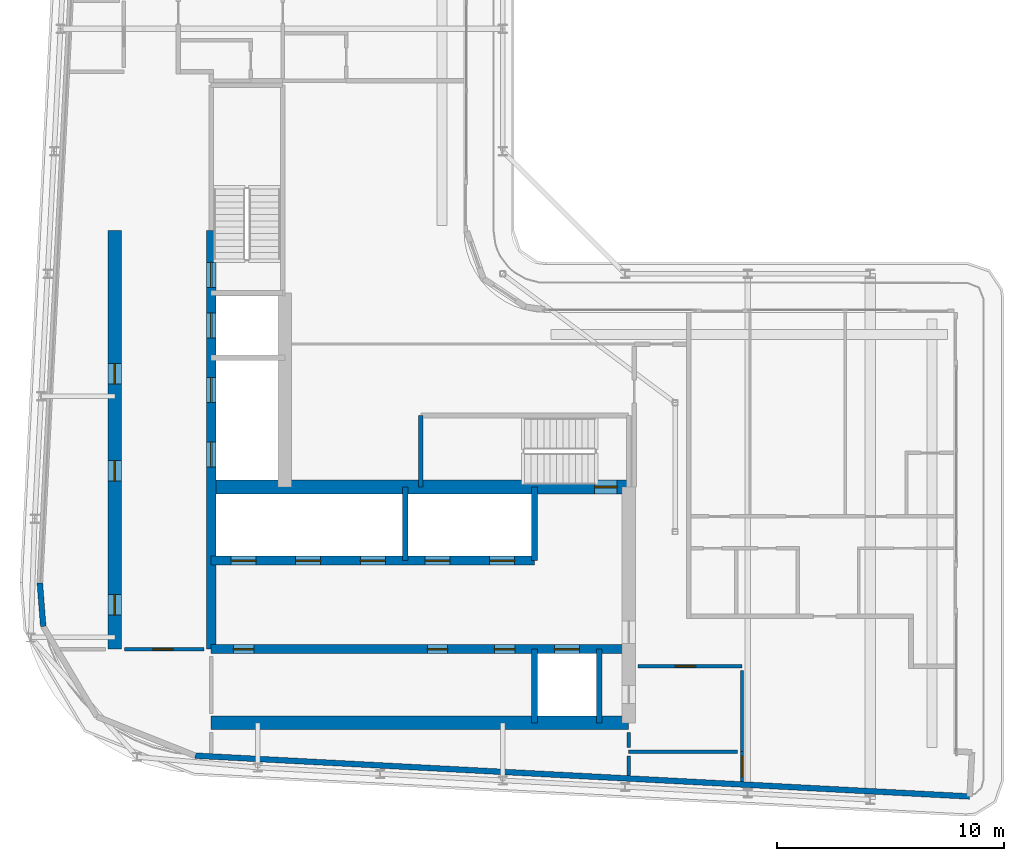
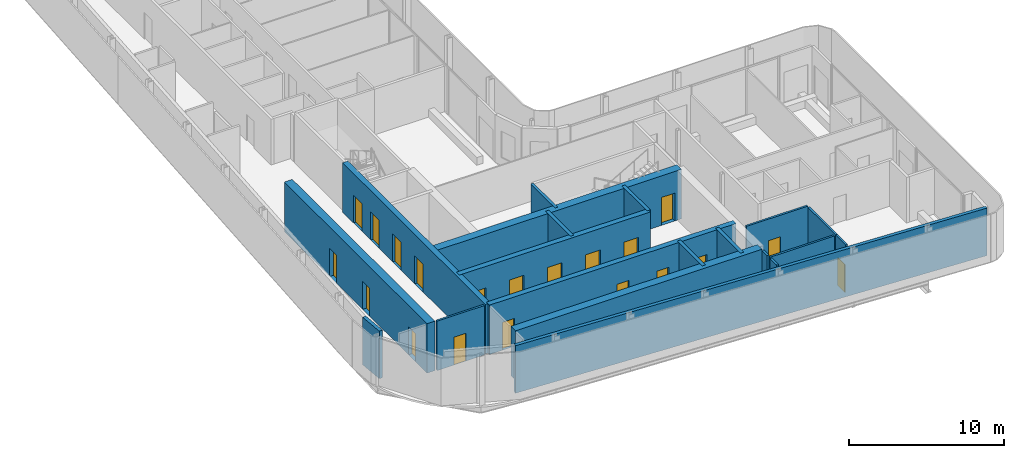
# One storey, part 11 of 21: 20 doors, 20 walls, 20 openings.
"""IFC4 building model written with IfcOpenShell, lengths in metres."""

from ifc_helpers import new_model, si_unit, direction, frame, frame_2d, origin, place, context, subcontext, project, spatial, rectangle, extrude, source, transform, mapped, material, layer, layer_set, type_object, element, fill, save


model = new_model("IFC4")

# Units and contexts
model_context = context("Model", 3, precision=1e-05, world=origin(), true_north=direction((0.0, 1.0)))
body_context = subcontext(model_context, "Body", "Model", "MODEL_VIEW")
ifc_project = project(units=[si_unit("LENGTHUNIT", "METRE"), si_unit("AREAUNIT", "SQUARE_METRE"), si_unit("VOLUMEUNIT", "CUBIC_METRE"), si_unit("PLANEANGLEUNIT", "RADIAN"), si_unit("MASSUNIT", "GRAM", prefix="KILO")], contexts=[model_context])

# Site, building, storey
site_placement = place(None, origin())
site = spatial("IfcSite", under=ifc_project, at=site_placement, CompositionType="ELEMENT")
building_placement = place(site_placement, origin())
building = spatial("IfcBuilding", under=site, at=building_placement, Name="Kheshtan School and Residences Tower", CompositionType="ELEMENT")
storey_placement = place(building_placement, frame((0.0, 0.0, 309.800048828125)))
storey = spatial("IfcBuildingStorey", under=building, at=storey_placement, Name="L73", CompositionType="ELEMENT", Elevation=309.800048828125)

# Wall, openings, doors
ifc_material_1 = material(Name="Concrete C50/60", Category="concrete")
ifc_layer_1 = layer(ifc_material_1, 0.39990234375)
ifc_layer_set_1 = layer_set([ifc_layer_1], Name="Core wall 400 Concrete C50/60")
wall_type_1 = type_object("IfcWallType", Name="Core wall 400 Concrete C50/60", PredefinedType="SHEAR", material=ifc_layer_set_1)
wall_1_placement = place(storey_placement, frame((34.75, 29.050048828125, 0.0), z_axis=(0.0, 0.0, 1.0), x_axis=(1.0, 0.0, 0.0)))
wall_1 = element("IfcWall", 1, at=wall_1_placement, inside=storey, type_object=wall_type_1, Name="Core wall CW-HALL-S1", PredefinedType="SHEAR", context=body_context, shape_type="SweptSolid", body=[
    extrude(rectangle(XDim=18.39990234375, YDim=0.39990234375, at=frame_2d((9.199951171875, 0.0))), origin(), (0.0, 0.0, 1.0), 3.89990234375),
])
opening_1_placement = place(wall_1_placement, frame((15.125, 0.0, 0.0)))
opening_1 = element("IfcOpeningElement", 2, at=opening_1_placement, cuts=wall_1, Name="Opening LD", PredefinedType="OPENING", context=body_context, shape_type="SweptSolid", body=[
    extrude(rectangle(XDim=1.10009765625, YDim=2.199951171875, at=frame_2d((0.550048828125, 1.10009765625))), frame((0.0, 0.2099609375, 0.0), z_axis=(0.0, -1.0, 0.0), x_axis=(1.0, 0.0, 0.0)), (0.0, 0.0, 1.0), 0.419921875),
])
opening_2_placement = place(wall_1_placement, frame((0.97509765625, 0.0, 0.0)))
opening_2 = element("IfcOpeningElement", 3, at=opening_2_placement, cuts=wall_1, Name="Opening SR90", PredefinedType="OPENING", context=body_context, shape_type="SweptSolid", body=[
    extrude(rectangle(XDim=0.89990234375, YDim=2.199951171875, at=frame_2d((0.449951171875, 1.10009765625))), frame((0.0, 0.2099609375, 0.0), z_axis=(0.0, -1.0, 0.0), x_axis=(1.0, 0.0, 0.0)), (0.0, 0.0, 1.0), 0.419921875),
])
opening_3_placement = place(wall_1_placement, frame((9.52490234375, 0.0, 0.0)))
opening_3 = element("IfcOpeningElement", 4, at=opening_3_placement, cuts=wall_1, Name="Opening SR90", PredefinedType="OPENING", context=body_context, shape_type="SweptSolid", body=[
    extrude(rectangle(XDim=0.89990234375, YDim=2.199951171875, at=frame_2d((0.449951171875, 1.10009765625))), frame((0.0, 0.2099609375, 0.0), z_axis=(0.0, -1.0, 0.0), x_axis=(1.0, 0.0, 0.0)), (0.0, 0.0, 1.0), 0.419921875),
])
opening_4_placement = place(wall_1_placement, frame((12.488037109375, 0.0, 0.0)))
opening_4 = element("IfcOpeningElement", 5, at=opening_4_placement, cuts=wall_1, Name="Opening SR90", PredefinedType="OPENING", context=body_context, shape_type="SweptSolid", body=[
    extrude(rectangle(XDim=0.89990234375, YDim=2.199951171875, at=frame_2d((0.449951171875, 1.10009765625))), frame((0.0, 0.2099609375, 0.0), z_axis=(0.0, -1.0, 0.0), x_axis=(1.0, 0.0, 0.0)), (0.0, 0.0, 1.0), 0.419921875),
])
ifc_material_2 = material(Name="Stainless steel door leaves", Category="steel")
door_type_1 = type_object("IfcDoorType", Name="Lift landing door 1100", OperationType="SLIDING_TO_LEFT", PredefinedType="DOOR", material=ifc_material_2)
shared_shape_1 = source(origin(), body_context, "Body", "SweptSolid", [
    extrude(rectangle(XDim=1.10009765625, YDim=2.199951171875, at=frame_2d((0.550048828125, 1.10009765625))), frame((0.0, 0.02490234375, 0.0), z_axis=(0.0, -1.0, 0.0), x_axis=(1.0, 0.0, 0.0)), (0.0, 0.0, 1.0), 0.050048828125),
])
door_1_placement = place(opening_1_placement, origin())
door_1 = element("IfcDoor", 6, at=door_1_placement, inside=storey, type_object=door_type_1, Name="Lift FFL2 landing door", OperationType="SLIDING_TO_LEFT", OverallHeight=2.199951171875, OverallWidth=1.10009765625, PredefinedType="DOOR", context=body_context, shape_type="MappedRepresentation", body=[
    mapped(shared_shape_1, transform((0.0, 0.0, 0.0), x_axis=(1.0, 0.0, 0.0), y_axis=(0.0, 1.0, 0.0), z_axis=(0.0, 0.0, 1.0), scale=1.0)),
])
fill(opening_1, door_1)
ifc_material_3 = material(Name="Steel door leaf, galvanised", Category="steel")
door_type_2 = type_object("IfcDoorType", Name="Service room door 900 steel 90 min", OperationType="SINGLE_SWING_LEFT", PredefinedType="DOOR", material=ifc_material_3)
shared_shape_2 = source(origin(), body_context, "Body", "SweptSolid", [
    extrude(rectangle(XDim=0.89990234375, YDim=2.199951171875, at=frame_2d((0.449951171875, 1.10009765625))), frame((0.0, 0.02490234375, 0.0), z_axis=(0.0, -1.0, 0.0), x_axis=(1.0, 0.0, 0.0)), (0.0, 0.0, 1.0), 0.050048828125),
])
door_2_placement = place(opening_2_placement, origin())
door_2 = element("IfcDoor", 7, at=door_2_placement, inside=storey, type_object=door_type_2, Name="Service room door", OperationType="SINGLE_SWING_LEFT", OverallHeight=2.199951171875, OverallWidth=0.89990234375, PredefinedType="DOOR", context=body_context, shape_type="MappedRepresentation", body=[
    mapped(shared_shape_2, transform((0.0, 0.0, 0.0), x_axis=(1.0, 0.0, 0.0), y_axis=(0.0, 1.0, 0.0), z_axis=(0.0, 0.0, 1.0), scale=1.0)),
])
fill(opening_2, door_2)
door_3_placement = place(opening_3_placement, origin())
door_3 = element("IfcDoor", 8, at=door_3_placement, inside=storey, type_object=door_type_2, Name="Service room door", OperationType="SINGLE_SWING_RIGHT", OverallHeight=2.199951171875, OverallWidth=0.89990234375, PredefinedType="DOOR", context=body_context, shape_type="MappedRepresentation", body=[
    mapped(shared_shape_2, transform((0.0, 0.0, 0.0), x_axis=(1.0, 0.0, 0.0), y_axis=(0.0, 1.0, 0.0), z_axis=(0.0, 0.0, 1.0), scale=1.0)),
])
fill(opening_3, door_3)
door_4_placement = place(opening_4_placement, origin())
door_4 = element("IfcDoor", 9, at=door_4_placement, inside=storey, type_object=door_type_2, Name="Service room door", OperationType="SINGLE_SWING_LEFT", OverallHeight=2.199951171875, OverallWidth=0.89990234375, PredefinedType="DOOR", context=body_context, shape_type="MappedRepresentation", body=[
    mapped(shared_shape_2, transform((0.0, 0.0, 0.0), x_axis=(1.0, 0.0, 0.0), y_axis=(0.0, 1.0, 0.0), z_axis=(0.0, 0.0, 1.0), scale=1.0)),
])
fill(opening_4, door_4)

wall_2_placement = place(storey_placement, frame((34.75, 32.949951171875, 0.0), z_axis=(0.0, 0.0, 1.0), x_axis=(1.0, 0.0, 0.0)))
wall_2 = element("IfcWall", 10, at=wall_2_placement, inside=storey, type_object=wall_type_1, Name="Core wall CW-HALL-S2", PredefinedType="SHEAR", context=body_context, shape_type="SweptSolid", body=[
    extrude(rectangle(XDim=14.25, YDim=0.39990234375, at=frame_2d((7.125, 0.0))), origin(), (0.0, 0.0, 1.0), 3.89990234375),
])
opening_5_placement = place(wall_2_placement, frame((0.875, 0.0, 0.0)))
opening_5 = element("IfcOpeningElement", 11, at=opening_5_placement, cuts=wall_2, Name="Opening LD", PredefinedType="OPENING", context=body_context, shape_type="SweptSolid", body=[
    extrude(rectangle(XDim=1.10009765625, YDim=2.199951171875, at=frame_2d((0.550048828125, 1.10009765625))), frame((0.0, 0.2099609375, 0.0), z_axis=(0.0, -1.0, 0.0), x_axis=(1.0, 0.0, 0.0)), (0.0, 0.0, 1.0), 0.419921875),
])
opening_6_placement = place(wall_2_placement, frame((3.72509765625, 0.0, 0.0)))
opening_6 = element("IfcOpeningElement", 12, at=opening_6_placement, cuts=wall_2, Name="Opening LD", PredefinedType="OPENING", context=body_context, shape_type="SweptSolid", body=[
    extrude(rectangle(XDim=1.10009765625, YDim=2.199951171875, at=frame_2d((0.550048828125, 1.10009765625))), frame((0.0, 0.2099609375, 0.0), z_axis=(0.0, -1.0, 0.0), x_axis=(1.0, 0.0, 0.0)), (0.0, 0.0, 1.0), 0.419921875),
])
opening_7_placement = place(wall_2_placement, frame((6.574951171875, 0.0, 0.0)))
opening_7 = element("IfcOpeningElement", 13, at=opening_7_placement, cuts=wall_2, Name="Opening LD", PredefinedType="OPENING", context=body_context, shape_type="SweptSolid", body=[
    extrude(rectangle(XDim=1.10009765625, YDim=2.199951171875, at=frame_2d((0.550048828125, 1.10009765625))), frame((0.0, 0.2099609375, 0.0), z_axis=(0.0, -1.0, 0.0), x_axis=(1.0, 0.0, 0.0)), (0.0, 0.0, 1.0), 0.419921875),
])
opening_8_placement = place(wall_2_placement, frame((9.425048828125, 0.0, 0.0)))
opening_8 = element("IfcOpeningElement", 14, at=opening_8_placement, cuts=wall_2, Name="Opening LD", PredefinedType="OPENING", context=body_context, shape_type="SweptSolid", body=[
    extrude(rectangle(XDim=1.10009765625, YDim=2.199951171875, at=frame_2d((0.550048828125, 1.10009765625))), frame((0.0, 0.2099609375, 0.0), z_axis=(0.0, -1.0, 0.0), x_axis=(1.0, 0.0, 0.0)), (0.0, 0.0, 1.0), 0.419921875),
])
opening_9_placement = place(wall_2_placement, frame((12.27490234375, 0.0, 0.0)))
opening_9 = element("IfcOpeningElement", 15, at=opening_9_placement, cuts=wall_2, Name="Opening LD", PredefinedType="OPENING", context=body_context, shape_type="SweptSolid", body=[
    extrude(rectangle(XDim=1.10009765625, YDim=2.199951171875, at=frame_2d((0.550048828125, 1.10009765625))), frame((0.0, 0.2099609375, 0.0), z_axis=(0.0, -1.0, 0.0), x_axis=(1.0, 0.0, 0.0)), (0.0, 0.0, 1.0), 0.419921875),
])
door_5_placement = place(opening_5_placement, origin())
door_5 = element("IfcDoor", 16, at=door_5_placement, inside=storey, type_object=door_type_1, Name="Lift P12 landing door", OperationType="SLIDING_TO_LEFT", OverallHeight=2.199951171875, OverallWidth=1.10009765625, PredefinedType="DOOR", context=body_context, shape_type="MappedRepresentation", body=[
    mapped(shared_shape_1, transform((0.0, 0.0, 0.0), x_axis=(1.0, 0.0, 0.0), y_axis=(0.0, 1.0, 0.0), z_axis=(0.0, 0.0, 1.0), scale=1.0)),
])
fill(opening_5, door_5)
door_6_placement = place(opening_6_placement, origin())
door_6 = element("IfcDoor", 17, at=door_6_placement, inside=storey, type_object=door_type_1, Name="Lift P13 landing door", OperationType="SLIDING_TO_LEFT", OverallHeight=2.199951171875, OverallWidth=1.10009765625, PredefinedType="DOOR", context=body_context, shape_type="MappedRepresentation", body=[
    mapped(shared_shape_1, transform((0.0, 0.0, 0.0), x_axis=(1.0, 0.0, 0.0), y_axis=(0.0, 1.0, 0.0), z_axis=(0.0, 0.0, 1.0), scale=1.0)),
])
fill(opening_6, door_6)
door_7_placement = place(opening_7_placement, origin())
door_7 = element("IfcDoor", 18, at=door_7_placement, inside=storey, type_object=door_type_1, Name="Lift P14 landing door", OperationType="SLIDING_TO_LEFT", OverallHeight=2.199951171875, OverallWidth=1.10009765625, PredefinedType="DOOR", context=body_context, shape_type="MappedRepresentation", body=[
    mapped(shared_shape_1, transform((0.0, 0.0, 0.0), x_axis=(1.0, 0.0, 0.0), y_axis=(0.0, 1.0, 0.0), z_axis=(0.0, 0.0, 1.0), scale=1.0)),
])
fill(opening_7, door_7)
door_8_placement = place(opening_8_placement, origin())
door_8 = element("IfcDoor", 19, at=door_8_placement, inside=storey, type_object=door_type_1, Name="Lift P15 landing door", OperationType="SLIDING_TO_LEFT", OverallHeight=2.199951171875, OverallWidth=1.10009765625, PredefinedType="DOOR", context=body_context, shape_type="MappedRepresentation", body=[
    mapped(shared_shape_1, transform((0.0, 0.0, 0.0), x_axis=(1.0, 0.0, 0.0), y_axis=(0.0, 1.0, 0.0), z_axis=(0.0, 0.0, 1.0), scale=1.0)),
])
fill(opening_8, door_8)
door_9_placement = place(opening_9_placement, origin())
door_9 = element("IfcDoor", 20, at=door_9_placement, inside=storey, type_object=door_type_1, Name="Lift P16 landing door", OperationType="SLIDING_TO_LEFT", OverallHeight=2.199951171875, OverallWidth=1.10009765625, PredefinedType="DOOR", context=body_context, shape_type="MappedRepresentation", body=[
    mapped(shared_shape_1, transform((0.0, 0.0, 0.0), x_axis=(1.0, 0.0, 0.0), y_axis=(0.0, 1.0, 0.0), z_axis=(0.0, 0.0, 1.0), scale=1.0)),
])
fill(opening_9, door_9)

wall_3_placement = place(storey_placement, frame((34.75, 29.050048828125, 0.0), z_axis=(0.0, 0.0, 1.0), x_axis=(0.0, 1.0, 0.0)))
wall_3 = element("IfcWall", 21, at=wall_3_placement, inside=storey, type_object=wall_type_1, Name="Core wall CW-HALL-W1", PredefinedType="SHEAR", context=body_context, shape_type="SweptSolid", body=[
    extrude(rectangle(XDim=18.449951171875, YDim=0.39990234375, at=frame_2d((9.22509765625, 0.0))), origin(), (0.0, 0.0, 1.0), 3.89990234375),
])
opening_10_placement = place(wall_3_placement, frame((8.02490234375, 0.0, 0.0)))
opening_10 = element("IfcOpeningElement", 22, at=opening_10_placement, cuts=wall_3, Name="Opening LD", PredefinedType="OPENING", context=body_context, shape_type="SweptSolid", body=[
    extrude(rectangle(XDim=1.10009765625, YDim=2.199951171875, at=frame_2d((0.550048828125, 1.10009765625))), frame((0.0, 0.2099609375, 0.0), z_axis=(0.0, -1.0, 0.0), x_axis=(1.0, 0.0, 0.0)), (0.0, 0.0, 1.0), 0.419921875),
])
opening_11_placement = place(wall_3_placement, frame((10.875, 0.0, 0.0)))
opening_11 = element("IfcOpeningElement", 23, at=opening_11_placement, cuts=wall_3, Name="Opening LD", PredefinedType="OPENING", context=body_context, shape_type="SweptSolid", body=[
    extrude(rectangle(XDim=1.10009765625, YDim=2.199951171875, at=frame_2d((0.550048828125, 1.10009765625))), frame((0.0, 0.2099609375, 0.0), z_axis=(0.0, -1.0, 0.0), x_axis=(1.0, 0.0, 0.0)), (0.0, 0.0, 1.0), 0.419921875),
])
opening_12_placement = place(wall_3_placement, frame((13.72509765625, 0.0, 0.0)))
opening_12 = element("IfcOpeningElement", 24, at=opening_12_placement, cuts=wall_3, Name="Opening LD", PredefinedType="OPENING", context=body_context, shape_type="SweptSolid", body=[
    extrude(rectangle(XDim=1.10009765625, YDim=2.199951171875, at=frame_2d((0.550048828125, 1.10009765625))), frame((0.0, 0.2099609375, 0.0), z_axis=(0.0, -1.0, 0.0), x_axis=(1.0, 0.0, 0.0)), (0.0, 0.0, 1.0), 0.419921875),
])
opening_13_placement = place(wall_3_placement, frame((15.949951171875, 0.0, 0.0)))
opening_13 = element("IfcOpeningElement", 25, at=opening_13_placement, cuts=wall_3, Name="Opening ST2D", PredefinedType="OPENING", context=body_context, shape_type="SweptSolid", body=[
    extrude(rectangle(XDim=1.10009765625, YDim=2.199951171875, at=frame_2d((0.550048828125, 1.10009765625))), frame((0.0, 0.2099609375, 0.0), z_axis=(0.0, -1.0, 0.0), x_axis=(1.0, 0.0, 0.0)), (0.0, 0.0, 1.0), 0.419921875),
])
door_10_placement = place(opening_10_placement, origin())
door_10 = element("IfcDoor", 26, at=door_10_placement, inside=storey, type_object=door_type_1, Name="Lift SV1 landing door", OperationType="SLIDING_TO_LEFT", OverallHeight=2.199951171875, OverallWidth=1.10009765625, PredefinedType="DOOR", context=body_context, shape_type="MappedRepresentation", body=[
    mapped(shared_shape_1, transform((0.0, 0.0, 0.0), x_axis=(1.0, 0.0, 0.0), y_axis=(0.0, 1.0, 0.0), z_axis=(0.0, 0.0, 1.0), scale=1.0)),
])
fill(opening_10, door_10)
door_11_placement = place(opening_11_placement, origin())
door_11 = element("IfcDoor", 27, at=door_11_placement, inside=storey, type_object=door_type_1, Name="Lift SV2 landing door", OperationType="SLIDING_TO_LEFT", OverallHeight=2.199951171875, OverallWidth=1.10009765625, PredefinedType="DOOR", context=body_context, shape_type="MappedRepresentation", body=[
    mapped(shared_shape_1, transform((0.0, 0.0, 0.0), x_axis=(1.0, 0.0, 0.0), y_axis=(0.0, 1.0, 0.0), z_axis=(0.0, 0.0, 1.0), scale=1.0)),
])
fill(opening_11, door_11)
door_12_placement = place(opening_12_placement, origin())
door_12 = element("IfcDoor", 28, at=door_12_placement, inside=storey, type_object=door_type_1, Name="Lift FFL1 landing door", OperationType="SLIDING_TO_LEFT", OverallHeight=2.199951171875, OverallWidth=1.10009765625, PredefinedType="DOOR", context=body_context, shape_type="MappedRepresentation", body=[
    mapped(shared_shape_1, transform((0.0, 0.0, 0.0), x_axis=(1.0, 0.0, 0.0), y_axis=(0.0, 1.0, 0.0), z_axis=(0.0, 0.0, 1.0), scale=1.0)),
])
fill(opening_12, door_12)
door_type_3 = type_object("IfcDoorType", Name="Stair door 1100 steel 90 min", OperationType="SINGLE_SWING_LEFT", PredefinedType="DOOR", material=ifc_material_3)
shared_shape_3 = source(origin(), body_context, "Body", "SweptSolid", [
    extrude(rectangle(XDim=1.10009765625, YDim=2.199951171875, at=frame_2d((0.550048828125, 1.10009765625))), frame((0.0, 0.02490234375, 0.0), z_axis=(0.0, -1.0, 0.0), x_axis=(1.0, 0.0, 0.0)), (0.0, 0.0, 1.0), 0.050048828125),
])
door_13_placement = place(opening_13_placement, origin())
door_13 = element("IfcDoor", 29, at=door_13_placement, inside=storey, type_object=door_type_3, Name="Stair ST2 door", OperationType="SINGLE_SWING_RIGHT", OverallHeight=2.199951171875, OverallWidth=1.10009765625, PredefinedType="DOOR", context=body_context, shape_type="MappedRepresentation", body=[
    mapped(shared_shape_3, transform((0.0, 0.0, 0.0), x_axis=(1.0, 0.0, 0.0), y_axis=(0.0, 1.0, 0.0), z_axis=(0.0, 0.0, 1.0), scale=1.0)),
])
fill(opening_13, door_13)

# Wall
ifc_material_4 = material(Name="Concrete C60/75", Category="concrete")
ifc_layer_2 = layer(ifc_material_4, 0.60009765625)
ifc_layer_set_2 = layer_set([ifc_layer_2], Name="Core wall 600 Concrete C60/75")
wall_type_2 = type_object("IfcWallType", Name="Core wall 600 Concrete C60/75", PredefinedType="SHEAR", material=ifc_layer_set_2)
wall_4_placement = place(storey_placement, frame((34.75, 25.800048828125, 0.0), z_axis=(0.0, 0.0, 1.0), x_axis=(1.0, 0.0, 0.0)))
element("IfcWall", 30, at=wall_4_placement, inside=storey, type_object=wall_type_2, Name="Core wall CW-REAR-S", PredefinedType="SHEAR", context=body_context, shape_type="SweptSolid", body=[
    extrude(rectangle(XDim=18.39990234375, YDim=0.60009765625, at=frame_2d((9.199951171875, 0.0))), origin(), (0.0, 0.0, 1.0), 3.89990234375),
])

# Wall, opening, door
wall_5_placement = place(storey_placement, frame((34.75, 36.199951171875, 0.0), z_axis=(0.0, 0.0, 1.0), x_axis=(1.0, 0.0, 0.0)))
wall_5 = element("IfcWall", 31, at=wall_5_placement, inside=storey, type_object=wall_type_2, Name="Core wall CW-FRONT-S", PredefinedType="SHEAR", context=body_context, shape_type="SweptSolid", body=[
    extrude(rectangle(XDim=18.39990234375, YDim=0.60009765625, at=frame_2d((9.199951171875, 0.0))), origin(), (0.0, 0.0, 1.0), 3.89990234375),
])
opening_14_placement = place(wall_5_placement, frame((16.89990234375, 0.0, 0.0)))
opening_14 = element("IfcOpeningElement", 32, at=opening_14_placement, cuts=wall_5, Name="Opening ST1D", PredefinedType="OPENING", context=body_context, shape_type="SweptSolid", body=[
    extrude(rectangle(XDim=1.0, YDim=2.199951171875, at=frame_2d((0.5, 1.10009765625))), frame((0.0, 0.31005859375, 0.0), z_axis=(0.0, -1.0, 0.0), x_axis=(1.0, 0.0, 0.0)), (0.0, 0.0, 1.0), 0.6201171875),
])
shared_shape_4 = source(origin(), body_context, "Body", "SweptSolid", [
    extrude(rectangle(XDim=1.0, YDim=2.199951171875, at=frame_2d((0.5, 1.10009765625))), frame((0.0, 0.02490234375, 0.0), z_axis=(0.0, -1.0, 0.0), x_axis=(1.0, 0.0, 0.0)), (0.0, 0.0, 1.0), 0.050048828125),
])
door_14_placement = place(opening_14_placement, origin())
door_14 = element("IfcDoor", 33, at=door_14_placement, inside=storey, type_object=door_type_3, Name="Stair ST1 door", OperationType="SINGLE_SWING_RIGHT", OverallHeight=2.199951171875, OverallWidth=1.0, PredefinedType="DOOR", context=body_context, shape_type="MappedRepresentation", body=[
    mapped(shared_shape_4, transform((0.0, 0.0, 0.0), x_axis=(1.0, 0.0, 0.0), y_axis=(0.0, 1.0, 0.0), z_axis=(0.0, 0.0, 1.0), scale=1.0)),
])
fill(opening_14, door_14)

# Wall, openings, doors
wall_6_placement = place(storey_placement, frame((30.5, 29.050048828125, 0.0), z_axis=(0.0, 0.0, 1.0), x_axis=(0.0, 1.0, 0.0)))
wall_6 = element("IfcWall", 34, at=wall_6_placement, inside=storey, type_object=wall_type_2, Name="Core wall CW-REAR-W", PredefinedType="SHEAR", context=body_context, shape_type="SweptSolid", body=[
    extrude(rectangle(XDim=18.449951171875, YDim=0.60009765625, at=frame_2d((9.22509765625, 0.0))), origin(), (0.0, 0.0, 1.0), 3.89990234375),
])
opening_15_placement = place(wall_6_placement, frame((1.5, 0.0, 0.0)))
opening_15 = element("IfcOpeningElement", 35, at=opening_15_placement, cuts=wall_6, Name="Opening SR90", PredefinedType="OPENING", context=body_context, shape_type="SweptSolid", body=[
    extrude(rectangle(XDim=0.89990234375, YDim=2.199951171875, at=frame_2d((0.449951171875, 1.10009765625))), frame((0.0, 0.31005859375, 0.0), z_axis=(0.0, -1.0, 0.0), x_axis=(1.0, 0.0, 0.0)), (0.0, 0.0, 1.0), 0.6201171875),
])
opening_16_placement = place(wall_6_placement, frame((7.406005859375, 0.0, 0.0)))
opening_16 = element("IfcOpeningElement", 36, at=opening_16_placement, cuts=wall_6, Name="Opening SR90", PredefinedType="OPENING", context=body_context, shape_type="SweptSolid", body=[
    extrude(rectangle(XDim=0.89990234375, YDim=2.199951171875, at=frame_2d((0.449951171875, 1.10009765625))), frame((0.0, 0.31005859375, 0.0), z_axis=(0.0, -1.0, 0.0), x_axis=(1.0, 0.0, 0.0)), (0.0, 0.0, 1.0), 0.6201171875),
])
opening_17_placement = place(wall_6_placement, frame((11.68798828125, 0.0, 0.0)))
opening_17 = element("IfcOpeningElement", 37, at=opening_17_placement, cuts=wall_6, Name="Opening SR90", PredefinedType="OPENING", context=body_context, shape_type="SweptSolid", body=[
    extrude(rectangle(XDim=0.89990234375, YDim=2.199951171875, at=frame_2d((0.449951171875, 1.10009765625))), frame((0.0, 0.31005859375, 0.0), z_axis=(0.0, -1.0, 0.0), x_axis=(1.0, 0.0, 0.0)), (0.0, 0.0, 1.0), 0.6201171875),
])
door_15_placement = place(opening_15_placement, origin())
door_15 = element("IfcDoor", 38, at=door_15_placement, inside=storey, type_object=door_type_2, Name="Service room door", OperationType="SINGLE_SWING_LEFT", OverallHeight=2.199951171875, OverallWidth=0.89990234375, PredefinedType="DOOR", context=body_context, shape_type="MappedRepresentation", body=[
    mapped(shared_shape_2, transform((0.0, 0.0, 0.0), x_axis=(1.0, 0.0, 0.0), y_axis=(0.0, 1.0, 0.0), z_axis=(0.0, 0.0, 1.0), scale=1.0)),
])
fill(opening_15, door_15)
door_16_placement = place(opening_16_placement, origin())
door_16 = element("IfcDoor", 39, at=door_16_placement, inside=storey, type_object=door_type_2, Name="Service room door", OperationType="SINGLE_SWING_RIGHT", OverallHeight=2.199951171875, OverallWidth=0.89990234375, PredefinedType="DOOR", context=body_context, shape_type="MappedRepresentation", body=[
    mapped(shared_shape_2, transform((0.0, 0.0, 0.0), x_axis=(1.0, 0.0, 0.0), y_axis=(0.0, 1.0, 0.0), z_axis=(0.0, 0.0, 1.0), scale=1.0)),
])
fill(opening_16, door_16)
door_17_placement = place(opening_17_placement, origin())
door_17 = element("IfcDoor", 40, at=door_17_placement, inside=storey, type_object=door_type_2, Name="Service room door", OperationType="SINGLE_SWING_LEFT", OverallHeight=2.199951171875, OverallWidth=0.89990234375, PredefinedType="DOOR", context=body_context, shape_type="MappedRepresentation", body=[
    mapped(shared_shape_2, transform((0.0, 0.0, 0.0), x_axis=(1.0, 0.0, 0.0), y_axis=(0.0, 1.0, 0.0), z_axis=(0.0, 0.0, 1.0), scale=1.0)),
])
fill(opening_17, door_17)

# Walls
ifc_material_5 = material(Name="Concrete C40/50 with ceramic cladding and mineral wool insulation", Category="concrete")
ifc_layer_3 = layer(ifc_material_5, 0.25)
ifc_layer_set_3 = layer_set([ifc_layer_3], Name="External wall 250 ceramic clad")
wall_type_3 = type_object("IfcWallType", Name="External wall 250 ceramic clad", PredefinedType="SOLIDWALL", material=ifc_layer_set_3)
wall_7_placement = place(storey_placement, frame((27.343994140625, 30.054931640625, 0.0), z_axis=(0.0, 0.0, 1.0), x_axis=(-0.077571675317, 0.99698677784, 0.0)))
element("IfcWall", 41, at=wall_7_placement, inside=storey, type_object=wall_type_3, Name="External wall L73 3", PredefinedType="SOLIDWALL", context=body_context, shape_type="SweptSolid", body=[
    extrude(rectangle(XDim=1.919921875, YDim=0.25, at=frame_2d((0.9599609375, 0.0))), origin(), (0.0, 0.0, 1.0), 3.75),
])
wall_8_placement = place(storey_placement, frame((68.18603515625, 22.554931640625, 0.0), z_axis=(0.0, 0.0, 1.0), x_axis=(-0.998616468095, 0.052584690257, 0.0)))
element("IfcWall", 42, at=wall_8_placement, inside=storey, type_object=wall_type_3, Name="External wall L73 16", PredefinedType="SOLIDWALL", context=body_context, shape_type="SweptSolid", body=[
    extrude(rectangle(XDim=34.1943359375, YDim=0.25, at=frame_2d((17.09716796875, 0.0))), origin(), (0.0, 0.0, 1.0), 3.75),
])

# Wall, opening, door
ifc_material_6 = material(Name="Fire-board shaft wall system")
ifc_layer_4 = layer(ifc_material_6, 0.14990234375)
ifc_layer_set_4 = layer_set([ifc_layer_4], Name="Service room wall 150")
wall_type_4 = type_object("IfcWallType", Name="Service room wall 150", PredefinedType="PARTITIONING", material=ifc_layer_set_4)
wall_9_placement = place(storey_placement, frame((30.919921875, 29.050048828125, 0.0), z_axis=(0.0, 0.0, 1.0), x_axis=(1.0, 0.0, 0.0)))
wall_9 = element("IfcWall", 43, at=wall_9_placement, inside=storey, type_object=wall_type_4, Name="Service room wall", PredefinedType="PARTITIONING", context=body_context, shape_type="SweptSolid", body=[
    extrude(rectangle(XDim=3.510009765625, YDim=0.14990234375, at=frame_2d((1.7548828125, 0.0))), origin(), (0.0, 0.0, 1.0), 3.89990234375),
])
opening_18_placement = place(wall_9_placement, frame((1.2548828125, 0.0, 0.0)))
opening_18 = element("IfcOpeningElement", 44, at=opening_18_placement, cuts=wall_9, Name="Opening SR90", PredefinedType="OPENING", context=body_context, shape_type="SweptSolid", body=[
    extrude(rectangle(XDim=0.89990234375, YDim=2.199951171875, at=frame_2d((0.449951171875, 1.10009765625))), frame((0.0, 0.0849609375, 0.0), z_axis=(0.0, -1.0, 0.0), x_axis=(1.0, 0.0, 0.0)), (0.0, 0.0, 1.0), 0.169921875),
])
door_18_placement = place(opening_18_placement, origin())
door_18 = element("IfcDoor", 45, at=door_18_placement, inside=storey, type_object=door_type_2, Name="Service room door", OperationType="SINGLE_SWING_RIGHT", OverallHeight=2.199951171875, OverallWidth=0.89990234375, PredefinedType="DOOR", context=body_context, shape_type="MappedRepresentation", body=[
    mapped(shared_shape_2, transform((0.0, 0.0, 0.0), x_axis=(1.0, 0.0, 0.0), y_axis=(0.0, 1.0, 0.0), z_axis=(0.0, 0.0, 1.0), scale=1.0)),
])
fill(opening_18, door_18)

wall_10_placement = place(storey_placement, frame((58.14990234375, 23.2109375, 0.0), z_axis=(0.0, 0.0, 1.0), x_axis=(0.0, 1.0, 0.0)))
wall_10 = element("IfcWall", 46, at=wall_10_placement, inside=storey, type_object=wall_type_4, Name="Service room wall", PredefinedType="PARTITIONING", context=body_context, shape_type="SweptSolid", body=[
    extrude(rectangle(XDim=1.317138671875, YDim=0.14990234375, at=frame_2d((0.65869140625, 0.0))), origin(), (0.0, 0.0, 1.0), 3.89990234375),
])
opening_19_placement = place(wall_10_placement, frame((0.222900390625, 0.0, 0.0)))
opening_19 = element("IfcOpeningElement", 47, at=opening_19_placement, cuts=wall_10, Name="Opening SR90", PredefinedType="OPENING", context=body_context, shape_type="SweptSolid", body=[
    extrude(rectangle(XDim=0.89990234375, YDim=2.199951171875, at=frame_2d((0.449951171875, 1.10009765625))), frame((0.0, 0.0849609375, 0.0), z_axis=(0.0, -1.0, 0.0), x_axis=(1.0, 0.0, 0.0)), (0.0, 0.0, 1.0), 0.169921875),
])
door_19_placement = place(opening_19_placement, origin())
door_19 = element("IfcDoor", 48, at=door_19_placement, inside=storey, type_object=door_type_2, Name="Service room door", OperationType="SINGLE_SWING_LEFT", OverallHeight=2.199951171875, OverallWidth=0.89990234375, PredefinedType="DOOR", context=body_context, shape_type="MappedRepresentation", body=[
    mapped(shared_shape_2, transform((0.0, 0.0, 0.0), x_axis=(1.0, 0.0, 0.0), y_axis=(0.0, 1.0, 0.0), z_axis=(0.0, 0.0, 1.0), scale=1.0)),
])
fill(opening_19, door_19)

# Walls
wall_11_placement = place(storey_placement, frame((53.14990234375, 24.528076171875, 0.0), z_axis=(0.0, 0.0, 1.0), x_axis=(1.0, 0.0, 0.0)))
element("IfcWall", 49, at=wall_11_placement, inside=storey, type_object=wall_type_4, Name="Service room wall", PredefinedType="PARTITIONING", context=body_context, shape_type="SweptSolid", body=[
    extrude(rectangle(XDim=4.80517578125, YDim=0.14990234375, at=frame_2d((2.402587890625, 0.0))), origin(), (0.0, 0.0, 1.0), 3.89990234375),
])
wall_12_placement = place(storey_placement, frame((53.14990234375, 23.47509765625, 0.0), z_axis=(0.0, 0.0, 1.0), x_axis=(0.0, 1.0, 0.0)))
element("IfcWall", 50, at=wall_12_placement, inside=storey, type_object=wall_type_4, Name="Service room wall", PredefinedType="PARTITIONING", context=body_context, shape_type="SweptSolid", body=[
    extrude(rectangle(XDim=0.85791015625, YDim=0.14990234375, at=frame_2d((0.428955078125, 0.0))), origin(), (0.0, 0.0, 1.0), 3.89990234375),
])

# Wall, opening, door
wall_13_placement = place(storey_placement, frame((53.570068359375, 28.300048828125, 0.0), z_axis=(0.0, 0.0, 1.0), x_axis=(1.0, 0.0, 0.0)))
wall_13 = element("IfcWall", 51, at=wall_13_placement, inside=storey, type_object=wall_type_4, Name="Service room wall", PredefinedType="PARTITIONING", context=body_context, shape_type="SweptSolid", body=[
    extrude(rectangle(XDim=4.579833984375, YDim=0.14990234375, at=frame_2d((2.2900390625, 0.0))), origin(), (0.0, 0.0, 1.0), 3.89990234375),
])
opening_20_placement = place(wall_13_placement, frame((1.6298828125, 0.0, 0.0)))
opening_20 = element("IfcOpeningElement", 52, at=opening_20_placement, cuts=wall_13, Name="Opening SR90", PredefinedType="OPENING", context=body_context, shape_type="SweptSolid", body=[
    extrude(rectangle(XDim=0.89990234375, YDim=2.199951171875, at=frame_2d((0.449951171875, 1.10009765625))), frame((0.0, 0.0849609375, 0.0), z_axis=(0.0, -1.0, 0.0), x_axis=(1.0, 0.0, 0.0)), (0.0, 0.0, 1.0), 0.169921875),
])
door_20_placement = place(opening_20_placement, origin())
door_20 = element("IfcDoor", 53, at=door_20_placement, inside=storey, type_object=door_type_2, Name="Service room door", OperationType="SINGLE_SWING_LEFT", OverallHeight=2.199951171875, OverallWidth=0.89990234375, PredefinedType="DOOR", context=body_context, shape_type="MappedRepresentation", body=[
    mapped(shared_shape_2, transform((0.0, 0.0, 0.0), x_axis=(1.0, 0.0, 0.0), y_axis=(0.0, 1.0, 0.0), z_axis=(0.0, 0.0, 1.0), scale=1.0)),
])
fill(opening_20, door_20)

# Walls
wall_14_placement = place(storey_placement, frame((53.14990234375, 24.722900390625, 0.0), z_axis=(0.0, 0.0, 1.0), x_axis=(0.0, 1.0, 0.0)))
element("IfcWall", 54, at=wall_14_placement, inside=storey, type_object=wall_type_4, Name="Service room wall", PredefinedType="PARTITIONING", context=body_context, shape_type="SweptSolid", body=[
    extrude(rectangle(XDim=0.656982421875, YDim=0.14990234375, at=frame_2d((0.32861328125, 0.0))), origin(), (0.0, 0.0, 1.0), 3.89990234375),
])
wall_15_placement = place(storey_placement, frame((58.14990234375, 24.528076171875, 0.0), z_axis=(0.0, 0.0, 1.0), x_axis=(0.0, 1.0, 0.0)))
element("IfcWall", 55, at=wall_15_placement, inside=storey, type_object=wall_type_4, Name="Service room wall", PredefinedType="PARTITIONING", context=body_context, shape_type="SweptSolid", body=[
    extrude(rectangle(XDim=3.576904296875, YDim=0.14990234375, at=frame_2d((1.78857421875, 0.0))), origin(), (0.0, 0.0, 1.0), 3.89990234375),
])
ifc_layer_5 = layer(ifc_material_6, 0.25)
ifc_layer_set_5 = layer_set([ifc_layer_5], Name="Shaft lining wall 250")
wall_type_5 = type_object("IfcWallType", Name="Shaft lining wall 250", PredefinedType="PARTITIONING", material=ifc_layer_set_5)
for number, where, z_axis, x_axis, name in (
    (56, (43.300048828125, 32.949951171875, 0.0), (0.0, 0.0, 1.0), (0.0, 1.0, 0.0), "Shaft lining wall"),
    (57, (49.0, 25.800048828125, 0.0), (0.0, 0.0, 1.0), (0.0, 1.0, 0.0), "Shaft lining wall"),
    (58, (49.0, 32.949951171875, 0.0), (0.0, 0.0, 1.0), (0.0, 1.0, 0.0), "Shaft lining wall"),
    (59, (51.85009765625, 25.800048828125, 0.0), (0.0, 0.0, 1.0), (0.0, 1.0, 0.0), "Shaft lining wall"),
):
    element("IfcWall", number, at=place(storey_placement, frame(where, z_axis=z_axis, x_axis=x_axis)), inside=storey, type_object=wall_type_5, Name=name, PredefinedType="PARTITIONING", context=body_context, shape_type="SweptSolid", body=[
        extrude(rectangle(XDim=3.25, YDim=0.25, at=frame_2d((1.625, 0.0))), origin(), (0.0, 0.0, 1.0), 3.89990234375),
    ])
ifc_material_7 = material(Name="Concrete C40/50", Category="concrete")
ifc_layer_6 = layer(ifc_material_7, 0.199951171875)
ifc_layer_set_6 = layer_set([ifc_layer_6], Name="Stair enclosure wall 200 Concrete C40/50")
wall_type_6 = type_object("IfcWallType", Name="Stair enclosure wall 200 Concrete C40/50", PredefinedType="SHEAR", material=ifc_layer_set_6)
wall_16_placement = place(storey_placement, frame((43.989990234375, 36.199951171875, 0.0), z_axis=(0.0, 0.0, 1.0), x_axis=(0.0, 1.0, 0.0)))
element("IfcWall", 60, at=wall_16_placement, inside=storey, type_object=wall_type_6, Name="Stair enclosure wall ST1", PredefinedType="SHEAR", context=body_context, shape_type="SweptSolid", body=[
    extrude(rectangle(XDim=3.150146484375, YDim=0.199951171875, at=frame_2d((1.5751953125, 0.0))), origin(), (0.0, 0.0, 1.0), 3.89990234375),
])

save(model, "model.ifc")
